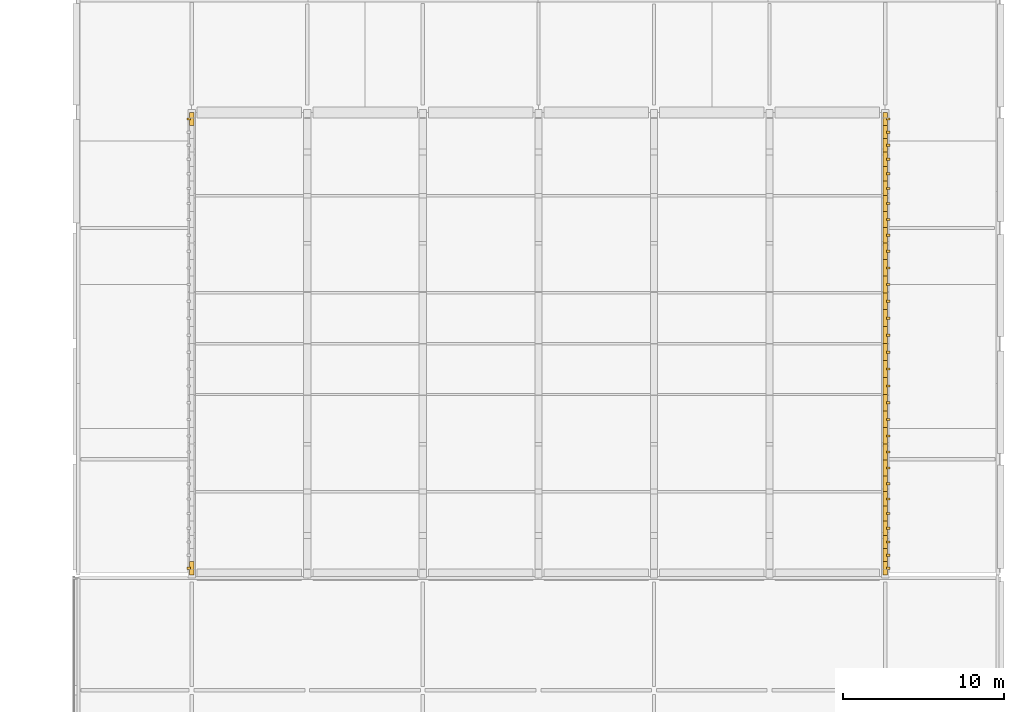
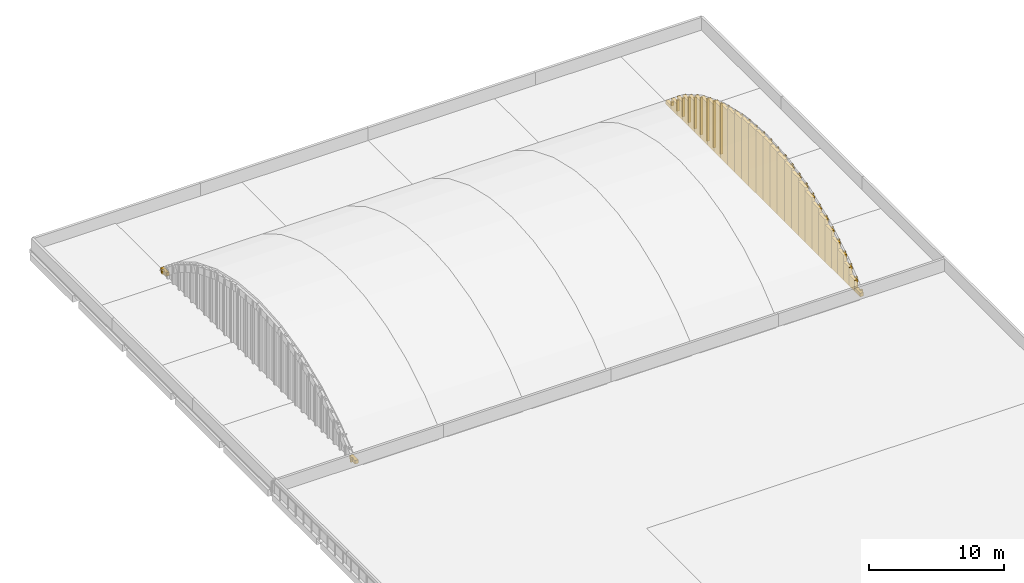
# One storey, part 71 of 71: 64 coverings.
"""IFC4 building model written with IfcOpenShell, lengths in metres."""

from ifc_helpers import new_model, si_unit, direction, frame, frame_2d, origin, origin_2d, place, context, subcontext, project, spatial, rectangle, extrude, material, layer, layer_set, type_object, element, save


model = new_model("IFC4")

# Units and contexts
model_context = context("Model", 3, precision=1e-05, world=origin(), true_north=direction((0.0, 1.0)))
body_context = subcontext(model_context, "Body", "Model", "MODEL_VIEW")
ifc_project = project(units=[si_unit("LENGTHUNIT", "METRE"), si_unit("AREAUNIT", "SQUARE_METRE"), si_unit("VOLUMEUNIT", "CUBIC_METRE"), si_unit("PLANEANGLEUNIT", "RADIAN"), si_unit("MASSUNIT", "GRAM", prefix="KILO")], contexts=[model_context])

# Site, building, storey
site_placement = place(None, origin())
site = spatial("IfcSite", under=ifc_project, at=site_placement, CompositionType="ELEMENT")
building_placement = place(site_placement, origin())
building = spatial("IfcBuilding", under=site, at=building_placement, Name="Sardonyx Promenade Sports Hall", CompositionType="ELEMENT")
storey_placement = place(building_placement, frame((0.0, 0.0, 16.0)))
storey = spatial("IfcBuildingStorey", under=building, at=storey_placement, Name="L03", CompositionType="ELEMENT", Elevation=16.0)

# Coverings
ifc_material_1 = material(Name="Glulam GL28h", Category="wood")
ifc_layer_1 = layer(ifc_material_1, 0.110107421875)
ifc_layer_set_1 = layer_set([ifc_layer_1], Name="Cov_Louvre_GL28h")
covering_type_1 = type_object("IfcCoveringType", Name="Cov_Louvre_GL28h", PredefinedType="MOLDING", material=ifc_layer_set_1)
for number, where, z_axis, x_axis, name in (
    (1, (115.02001953125, 50.808837890625, -0.02001953125), (0.0, 0.0, 1.0), (1.0, 0.0, 0.0), "Tympanum vertical stone mullion V2-W #1"),
    (2, (115.02001953125, 78.791015625, -0.02001953125), (0.0, 0.0, 1.0), (1.0, 0.0, 0.0), "Tympanum vertical stone mullion V2-W #30"),
    (3, (158.580078125, 50.808837890625, -0.02001953125), (0.0, 0.0, 1.0), (1.0, 0.0, 0.0), "Tympanum vertical stone mullion V2-E #1"),
):
    element("IfcCovering", number, at=place(storey_placement, frame(where, z_axis=z_axis, x_axis=x_axis)), inside=storey, type_object=covering_type_1, Name=name, PredefinedType="MOLDING", context=body_context, shape_type="SweptSolid", body=[
        extrude(rectangle(XDim=0.219970703125, YDim=0.139892578125, at=origin_2d()), origin(), (0.0, 0.0, 1.0), 0.31689453125),
    ])
covering_1_placement = place(storey_placement, frame((158.580078125, 51.626708984375, -0.02001953125), z_axis=(0.0, 0.0, 1.0), x_axis=(1.0, 0.0, 0.0)))
element("IfcCovering", 4, at=covering_1_placement, inside=storey, type_object=covering_type_1, Name="Tympanum vertical stone mullion V2-E #2", PredefinedType="MOLDING", context=body_context, shape_type="SweptSolid", body=[
    extrude(rectangle(XDim=0.219970703125, YDim=0.139892578125, at=origin_2d()), origin(), (0.0, 0.0, 1.0), 0.99072265625),
])
covering_2_placement = place(storey_placement, frame((158.580078125, 52.4443359375, -0.02001953125), z_axis=(0.0, 0.0, 1.0), x_axis=(1.0, 0.0, 0.0)))
element("IfcCovering", 5, at=covering_2_placement, inside=storey, type_object=covering_type_1, Name="Tympanum vertical stone mullion V2-E #3", PredefinedType="MOLDING", context=body_context, shape_type="SweptSolid", body=[
    extrude(rectangle(XDim=0.219970703125, YDim=0.139892578125, at=origin_2d()), origin(), (0.0, 0.0, 1.0), 1.66455078125),
])
covering_3_placement = place(storey_placement, frame((158.580078125, 53.308837890625, -0.02001953125), z_axis=(0.0, 0.0, 1.0), x_axis=(1.0, 0.0, 0.0)))
element("IfcCovering", 6, at=covering_3_placement, inside=storey, type_object=covering_type_1, Name="Tympanum vertical stone mullion V2-E #4", PredefinedType="MOLDING", context=body_context, shape_type="SweptSolid", body=[
    extrude(rectangle(XDim=0.219970703125, YDim=0.139892578125, at=origin_2d()), origin(), (0.0, 0.0, 1.0), 2.272216796875),
])
covering_4_placement = place(storey_placement, frame((158.580078125, 54.2197265625, -0.02001953125), z_axis=(0.0, 0.0, 1.0), x_axis=(1.0, 0.0, 0.0)))
element("IfcCovering", 7, at=covering_4_placement, inside=storey, type_object=covering_type_1, Name="Tympanum vertical stone mullion V2-E #5", PredefinedType="MOLDING", context=body_context, shape_type="SweptSolid", body=[
    extrude(rectangle(XDim=0.219970703125, YDim=0.139892578125, at=origin_2d()), origin(), (0.0, 0.0, 1.0), 2.8134765625),
])
covering_5_placement = place(storey_placement, frame((158.580078125, 55.130859375, -0.02001953125), z_axis=(0.0, 0.0, 1.0), x_axis=(1.0, 0.0, 0.0)))
element("IfcCovering", 8, at=covering_5_placement, inside=storey, type_object=covering_type_1, Name="Tympanum vertical stone mullion V2-E #6", PredefinedType="MOLDING", context=body_context, shape_type="SweptSolid", body=[
    extrude(rectangle(XDim=0.219970703125, YDim=0.139892578125, at=origin_2d()), origin(), (0.0, 0.0, 1.0), 3.3544921875),
])
covering_6_placement = place(storey_placement, frame((158.580078125, 56.077880859375, -0.02001953125), z_axis=(0.0, 0.0, 1.0), x_axis=(1.0, 0.0, 0.0)))
element("IfcCovering", 9, at=covering_6_placement, inside=storey, type_object=covering_type_1, Name="Tympanum vertical stone mullion V2-E #7", PredefinedType="MOLDING", context=body_context, shape_type="SweptSolid", body=[
    extrude(rectangle(XDim=0.219970703125, YDim=0.139892578125, at=origin_2d()), origin(), (0.0, 0.0, 1.0), 3.8232421875),
])
covering_7_placement = place(storey_placement, frame((158.580078125, 57.060546875, -0.02001953125), z_axis=(0.0, 0.0, 1.0), x_axis=(1.0, 0.0, 0.0)))
element("IfcCovering", 10, at=covering_7_placement, inside=storey, type_object=covering_type_1, Name="Tympanum vertical stone mullion V2-E #8", PredefinedType="MOLDING", context=body_context, shape_type="SweptSolid", body=[
    extrude(rectangle(XDim=0.219970703125, YDim=0.139892578125, at=origin_2d()), origin(), (0.0, 0.0, 1.0), 4.218994140625),
])
covering_8_placement = place(storey_placement, frame((158.580078125, 58.04345703125, -0.02001953125), z_axis=(0.0, 0.0, 1.0), x_axis=(1.0, 0.0, 0.0)))
element("IfcCovering", 11, at=covering_8_placement, inside=storey, type_object=covering_type_1, Name="Tympanum vertical stone mullion V2-E #9", PredefinedType="MOLDING", context=body_context, shape_type="SweptSolid", body=[
    extrude(rectangle(XDim=0.219970703125, YDim=0.139892578125, at=origin_2d()), origin(), (0.0, 0.0, 1.0), 4.614990234375),
])
covering_9_placement = place(storey_placement, frame((158.580078125, 59.051025390625, -0.02001953125), z_axis=(0.0, 0.0, 1.0), x_axis=(1.0, 0.0, 0.0)))
element("IfcCovering", 12, at=covering_9_placement, inside=storey, type_object=covering_type_1, Name="Tympanum vertical stone mullion V2-E #10", PredefinedType="MOLDING", context=body_context, shape_type="SweptSolid", body=[
    extrude(rectangle(XDim=0.219970703125, YDim=0.139892578125, at=origin_2d()), origin(), (0.0, 0.0, 1.0), 4.93359375),
])
covering_10_placement = place(storey_placement, frame((158.580078125, 60.082763671875, -0.02001953125), z_axis=(0.0, 0.0, 1.0), x_axis=(1.0, 0.0, 0.0)))
element("IfcCovering", 13, at=covering_10_placement, inside=storey, type_object=covering_type_1, Name="Tympanum vertical stone mullion V2-E #11", PredefinedType="MOLDING", context=body_context, shape_type="SweptSolid", body=[
    extrude(rectangle(XDim=0.219970703125, YDim=0.139892578125, at=origin_2d()), origin(), (0.0, 0.0, 1.0), 5.1748046875),
])
covering_11_placement = place(storey_placement, frame((158.580078125, 61.114501953125, -0.02001953125), z_axis=(0.0, 0.0, 1.0), x_axis=(1.0, 0.0, 0.0)))
element("IfcCovering", 14, at=covering_11_placement, inside=storey, type_object=covering_type_1, Name="Tympanum vertical stone mullion V2-E #12", PredefinedType="MOLDING", context=body_context, shape_type="SweptSolid", body=[
    extrude(rectangle(XDim=0.219970703125, YDim=0.139892578125, at=origin_2d()), origin(), (0.0, 0.0, 1.0), 5.416015625),
])
covering_12_placement = place(storey_placement, frame((158.580078125, 62.15869140625, -0.02001953125), z_axis=(0.0, 0.0, 1.0), x_axis=(1.0, 0.0, 0.0)))
element("IfcCovering", 15, at=covering_12_placement, inside=storey, type_object=covering_type_1, Name="Tympanum vertical stone mullion V2-E #13", PredefinedType="MOLDING", context=body_context, shape_type="SweptSolid", body=[
    extrude(rectangle(XDim=0.219970703125, YDim=0.139892578125, at=origin_2d()), origin(), (0.0, 0.0, 1.0), 5.577392578125),
])
covering_13_placement = place(storey_placement, frame((158.580078125, 63.215087890625, -0.02001953125), z_axis=(0.0, 0.0, 1.0), x_axis=(1.0, 0.0, 0.0)))
element("IfcCovering", 16, at=covering_13_placement, inside=storey, type_object=covering_type_1, Name="Tympanum vertical stone mullion V2-E #14", PredefinedType="MOLDING", context=body_context, shape_type="SweptSolid", body=[
    extrude(rectangle(XDim=0.219970703125, YDim=0.139892578125, at=origin_2d()), origin(), (0.0, 0.0, 1.0), 5.658447265625),
])
for number, where, z_axis, x_axis, name in (
    (17, (158.580078125, 64.271728515625, -0.02001953125), (0.0, 0.0, 1.0), (1.0, 0.0, 0.0), "Tympanum vertical stone mullion V2-E #15"),
    (18, (158.580078125, 65.328369140625, -0.02001953125), (0.0, 0.0, 1.0), (1.0, 0.0, 0.0), "Tympanum vertical stone mullion V2-E #16"),
):
    element("IfcCovering", number, at=place(storey_placement, frame(where, z_axis=z_axis, x_axis=x_axis)), inside=storey, type_object=covering_type_1, Name=name, PredefinedType="MOLDING", context=body_context, shape_type="SweptSolid", body=[
        extrude(rectangle(XDim=0.219970703125, YDim=0.139892578125, at=origin_2d()), origin(), (0.0, 0.0, 1.0), 5.739501953125),
    ])
covering_14_placement = place(storey_placement, frame((158.580078125, 66.384765625, -0.02001953125), z_axis=(0.0, 0.0, 1.0), x_axis=(1.0, 0.0, 0.0)))
element("IfcCovering", 19, at=covering_14_placement, inside=storey, type_object=covering_type_1, Name="Tympanum vertical stone mullion V2-E #17", PredefinedType="MOLDING", context=body_context, shape_type="SweptSolid", body=[
    extrude(rectangle(XDim=0.219970703125, YDim=0.139892578125, at=origin_2d()), origin(), (0.0, 0.0, 1.0), 5.658447265625),
])
covering_15_placement = place(storey_placement, frame((158.580078125, 67.44140625, -0.02001953125), z_axis=(0.0, 0.0, 1.0), x_axis=(1.0, 0.0, 0.0)))
element("IfcCovering", 20, at=covering_15_placement, inside=storey, type_object=covering_type_1, Name="Tympanum vertical stone mullion V2-E #18", PredefinedType="MOLDING", context=body_context, shape_type="SweptSolid", body=[
    extrude(rectangle(XDim=0.219970703125, YDim=0.139892578125, at=origin_2d()), origin(), (0.0, 0.0, 1.0), 5.577392578125),
])
covering_16_placement = place(storey_placement, frame((158.580078125, 68.485595703125, -0.02001953125), z_axis=(0.0, 0.0, 1.0), x_axis=(1.0, 0.0, 0.0)))
element("IfcCovering", 21, at=covering_16_placement, inside=storey, type_object=covering_type_1, Name="Tympanum vertical stone mullion V2-E #19", PredefinedType="MOLDING", context=body_context, shape_type="SweptSolid", body=[
    extrude(rectangle(XDim=0.219970703125, YDim=0.139892578125, at=origin_2d()), origin(), (0.0, 0.0, 1.0), 5.416015625),
])
covering_17_placement = place(storey_placement, frame((158.580078125, 69.517333984375, -0.02001953125), z_axis=(0.0, 0.0, 1.0), x_axis=(1.0, 0.0, 0.0)))
element("IfcCovering", 22, at=covering_17_placement, inside=storey, type_object=covering_type_1, Name="Tympanum vertical stone mullion V2-E #20", PredefinedType="MOLDING", context=body_context, shape_type="SweptSolid", body=[
    extrude(rectangle(XDim=0.219970703125, YDim=0.139892578125, at=origin_2d()), origin(), (0.0, 0.0, 1.0), 5.1748046875),
])
covering_18_placement = place(storey_placement, frame((158.580078125, 70.549072265625, -0.02001953125), z_axis=(0.0, 0.0, 1.0), x_axis=(1.0, 0.0, 0.0)))
element("IfcCovering", 23, at=covering_18_placement, inside=storey, type_object=covering_type_1, Name="Tympanum vertical stone mullion V2-E #21", PredefinedType="MOLDING", context=body_context, shape_type="SweptSolid", body=[
    extrude(rectangle(XDim=0.219970703125, YDim=0.139892578125, at=origin_2d()), origin(), (0.0, 0.0, 1.0), 4.93359375),
])
covering_19_placement = place(storey_placement, frame((158.580078125, 71.556396484375, -0.02001953125), z_axis=(0.0, 0.0, 1.0), x_axis=(1.0, 0.0, 0.0)))
element("IfcCovering", 24, at=covering_19_placement, inside=storey, type_object=covering_type_1, Name="Tympanum vertical stone mullion V2-E #22", PredefinedType="MOLDING", context=body_context, shape_type="SweptSolid", body=[
    extrude(rectangle(XDim=0.219970703125, YDim=0.139892578125, at=origin_2d()), origin(), (0.0, 0.0, 1.0), 4.614990234375),
])
covering_20_placement = place(storey_placement, frame((158.580078125, 72.539306640625, -0.02001953125), z_axis=(0.0, 0.0, 1.0), x_axis=(1.0, 0.0, 0.0)))
element("IfcCovering", 25, at=covering_20_placement, inside=storey, type_object=covering_type_1, Name="Tympanum vertical stone mullion V2-E #23", PredefinedType="MOLDING", context=body_context, shape_type="SweptSolid", body=[
    extrude(rectangle(XDim=0.219970703125, YDim=0.139892578125, at=origin_2d()), origin(), (0.0, 0.0, 1.0), 4.218994140625),
])
covering_21_placement = place(storey_placement, frame((158.580078125, 73.522216796875, -0.02001953125), z_axis=(0.0, 0.0, 1.0), x_axis=(1.0, 0.0, 0.0)))
element("IfcCovering", 26, at=covering_21_placement, inside=storey, type_object=covering_type_1, Name="Tympanum vertical stone mullion V2-E #24", PredefinedType="MOLDING", context=body_context, shape_type="SweptSolid", body=[
    extrude(rectangle(XDim=0.219970703125, YDim=0.139892578125, at=origin_2d()), origin(), (0.0, 0.0, 1.0), 3.8232421875),
])
covering_22_placement = place(storey_placement, frame((158.580078125, 74.46923828125, -0.02001953125), z_axis=(0.0, 0.0, 1.0), x_axis=(1.0, 0.0, 0.0)))
element("IfcCovering", 27, at=covering_22_placement, inside=storey, type_object=covering_type_1, Name="Tympanum vertical stone mullion V2-E #25", PredefinedType="MOLDING", context=body_context, shape_type="SweptSolid", body=[
    extrude(rectangle(XDim=0.219970703125, YDim=0.139892578125, at=origin_2d()), origin(), (0.0, 0.0, 1.0), 3.3544921875),
])
covering_23_placement = place(storey_placement, frame((158.580078125, 75.380126953125, -0.02001953125), z_axis=(0.0, 0.0, 1.0), x_axis=(1.0, 0.0, 0.0)))
element("IfcCovering", 28, at=covering_23_placement, inside=storey, type_object=covering_type_1, Name="Tympanum vertical stone mullion V2-E #26", PredefinedType="MOLDING", context=body_context, shape_type="SweptSolid", body=[
    extrude(rectangle(XDim=0.219970703125, YDim=0.139892578125, at=origin_2d()), origin(), (0.0, 0.0, 1.0), 2.8134765625),
])
covering_24_placement = place(storey_placement, frame((158.580078125, 76.291259765625, -0.02001953125), z_axis=(0.0, 0.0, 1.0), x_axis=(1.0, 0.0, 0.0)))
element("IfcCovering", 29, at=covering_24_placement, inside=storey, type_object=covering_type_1, Name="Tympanum vertical stone mullion V2-E #27", PredefinedType="MOLDING", context=body_context, shape_type="SweptSolid", body=[
    extrude(rectangle(XDim=0.219970703125, YDim=0.139892578125, at=origin_2d()), origin(), (0.0, 0.0, 1.0), 2.272216796875),
])
covering_25_placement = place(storey_placement, frame((158.580078125, 77.155517578125, -0.02001953125), z_axis=(0.0, 0.0, 1.0), x_axis=(1.0, 0.0, 0.0)))
element("IfcCovering", 30, at=covering_25_placement, inside=storey, type_object=covering_type_1, Name="Tympanum vertical stone mullion V2-E #28", PredefinedType="MOLDING", context=body_context, shape_type="SweptSolid", body=[
    extrude(rectangle(XDim=0.219970703125, YDim=0.139892578125, at=origin_2d()), origin(), (0.0, 0.0, 1.0), 1.66455078125),
])
covering_26_placement = place(storey_placement, frame((158.580078125, 77.973388671875, -0.02001953125), z_axis=(0.0, 0.0, 1.0), x_axis=(1.0, 0.0, 0.0)))
element("IfcCovering", 31, at=covering_26_placement, inside=storey, type_object=covering_type_1, Name="Tympanum vertical stone mullion V2-E #29", PredefinedType="MOLDING", context=body_context, shape_type="SweptSolid", body=[
    extrude(rectangle(XDim=0.219970703125, YDim=0.139892578125, at=origin_2d()), origin(), (0.0, 0.0, 1.0), 0.99072265625),
])
covering_27_placement = place(storey_placement, frame((158.580078125, 78.791015625, -0.02001953125), z_axis=(0.0, 0.0, 1.0), x_axis=(1.0, 0.0, 0.0)))
element("IfcCovering", 32, at=covering_27_placement, inside=storey, type_object=covering_type_1, Name="Tympanum vertical stone mullion V2-E #30", PredefinedType="MOLDING", context=body_context, shape_type="SweptSolid", body=[
    extrude(rectangle(XDim=0.219970703125, YDim=0.139892578125, at=origin_2d()), origin(), (0.0, 0.0, 1.0), 0.31689453125),
])
ifc_material_2 = material(Name="Carved Cape red sandstone ashlar", Category="masonry")
ifc_layer_2 = layer(ifc_material_2, 0.239990234375)
ifc_layer_set_2 = layer_set([ifc_layer_2], Name="Cov_Mughal_Arch")
covering_type_2 = type_object("IfcCoveringType", Name="Cov_Mughal_Arch", PredefinedType="CLADDING", material=ifc_layer_set_2)
covering_28_placement = place(storey_placement, frame((115.199951171875, 50.39990234375, -0.02001953125), z_axis=(0.0, 0.0, 1.0), x_axis=(0.0, 1.0, 0.0)))
element("IfcCovering", 33, at=covering_28_placement, inside=storey, type_object=covering_type_2, Name="Barrel-vault arched tympanum V2-W #1", PredefinedType="CLADDING", context=body_context, shape_type="SweptSolid", body=[
    extrude(rectangle(XDim=0.81787109375, YDim=0.280029296875, at=frame_2d((0.408935546875, 0.0))), origin(), (0.0, 0.0, 1.0), 0.31689453125),
])
covering_29_placement = place(storey_placement, frame((115.199951171875, 78.38232421875, -0.02001953125), z_axis=(0.0, 0.0, 1.0), x_axis=(0.0, 1.0, 0.0)))
element("IfcCovering", 34, at=covering_29_placement, inside=storey, type_object=covering_type_2, Name="Barrel-vault arched tympanum V2-W #30", PredefinedType="CLADDING", context=body_context, shape_type="SweptSolid", body=[
    extrude(rectangle(XDim=0.817626953125, YDim=0.280029296875, at=frame_2d((0.40869140625, 0.0))), origin(), (0.0, 0.0, 1.0), 0.31689453125),
])
covering_30_placement = place(storey_placement, frame((158.39990234375, 50.39990234375, -0.02001953125), z_axis=(0.0, 0.0, 1.0), x_axis=(0.0, 1.0, 0.0)))
element("IfcCovering", 35, at=covering_30_placement, inside=storey, type_object=covering_type_2, Name="Barrel-vault arched tympanum V2-E #1", PredefinedType="CLADDING", context=body_context, shape_type="SweptSolid", body=[
    extrude(rectangle(XDim=0.81787109375, YDim=0.280029296875, at=frame_2d((0.408935546875, 0.0))), origin(), (0.0, 0.0, 1.0), 0.31689453125),
])
covering_31_placement = place(storey_placement, frame((158.39990234375, 51.2177734375, -0.02001953125), z_axis=(0.0, 0.0, 1.0), x_axis=(0.0, 1.0, 0.0)))
element("IfcCovering", 36, at=covering_31_placement, inside=storey, type_object=covering_type_2, Name="Barrel-vault arched tympanum V2-E #2", PredefinedType="CLADDING", context=body_context, shape_type="SweptSolid", body=[
    extrude(rectangle(XDim=0.81787109375, YDim=0.280029296875, at=frame_2d((0.408935546875, 0.0))), origin(), (0.0, 0.0, 1.0), 0.99072265625),
])
covering_32_placement = place(storey_placement, frame((158.39990234375, 52.03564453125, -0.02001953125), z_axis=(0.0, 0.0, 1.0), x_axis=(0.0, 1.0, 0.0)))
element("IfcCovering", 37, at=covering_32_placement, inside=storey, type_object=covering_type_2, Name="Barrel-vault arched tympanum V2-E #3", PredefinedType="CLADDING", context=body_context, shape_type="SweptSolid", body=[
    extrude(rectangle(XDim=0.817626953125, YDim=0.280029296875, at=frame_2d((0.40869140625, 0.0))), origin(), (0.0, 0.0, 1.0), 1.66455078125),
])
covering_33_placement = place(storey_placement, frame((158.39990234375, 52.853271484375, -0.02001953125), z_axis=(0.0, 0.0, 1.0), x_axis=(0.0, 1.0, 0.0)))
element("IfcCovering", 38, at=covering_33_placement, inside=storey, type_object=covering_type_2, Name="Barrel-vault arched tympanum V2-E #4", PredefinedType="CLADDING", context=body_context, shape_type="SweptSolid", body=[
    extrude(rectangle(XDim=0.9111328125, YDim=0.280029296875, at=frame_2d((0.45556640625, 0.0))), origin(), (0.0, 0.0, 1.0), 2.272216796875),
])
covering_34_placement = place(storey_placement, frame((158.39990234375, 53.764404296875, -0.02001953125), z_axis=(0.0, 0.0, 1.0), x_axis=(0.0, 1.0, 0.0)))
element("IfcCovering", 39, at=covering_34_placement, inside=storey, type_object=covering_type_2, Name="Barrel-vault arched tympanum V2-E #5", PredefinedType="CLADDING", context=body_context, shape_type="SweptSolid", body=[
    extrude(rectangle(XDim=0.910888671875, YDim=0.280029296875, at=frame_2d((0.45556640625, 0.0))), origin(), (0.0, 0.0, 1.0), 2.8134765625),
])
covering_35_placement = place(storey_placement, frame((158.39990234375, 54.67529296875, -0.02001953125), z_axis=(0.0, 0.0, 1.0), x_axis=(0.0, 1.0, 0.0)))
element("IfcCovering", 40, at=covering_35_placement, inside=storey, type_object=covering_type_2, Name="Barrel-vault arched tympanum V2-E #6", PredefinedType="CLADDING", context=body_context, shape_type="SweptSolid", body=[
    extrude(rectangle(XDim=0.9111328125, YDim=0.280029296875, at=frame_2d((0.45556640625, 0.0))), origin(), (0.0, 0.0, 1.0), 3.354736328125),
])
covering_36_placement = place(storey_placement, frame((158.39990234375, 55.58642578125, -0.02001953125), z_axis=(0.0, 0.0, 1.0), x_axis=(0.0, 1.0, 0.0)))
element("IfcCovering", 41, at=covering_36_placement, inside=storey, type_object=covering_type_2, Name="Barrel-vault arched tympanum V2-E #7", PredefinedType="CLADDING", context=body_context, shape_type="SweptSolid", body=[
    extrude(rectangle(XDim=0.982666015625, YDim=0.280029296875, at=frame_2d((0.4912109375, 0.0))), origin(), (0.0, 0.0, 1.0), 3.8232421875),
])
covering_37_placement = place(storey_placement, frame((158.39990234375, 56.569091796875, -0.02001953125), z_axis=(0.0, 0.0, 1.0), x_axis=(0.0, 1.0, 0.0)))
element("IfcCovering", 42, at=covering_37_placement, inside=storey, type_object=covering_type_2, Name="Barrel-vault arched tympanum V2-E #8", PredefinedType="CLADDING", context=body_context, shape_type="SweptSolid", body=[
    extrude(rectangle(XDim=0.98291015625, YDim=0.280029296875, at=frame_2d((0.491455078125, 0.0))), origin(), (0.0, 0.0, 1.0), 4.218994140625),
])
covering_38_placement = place(storey_placement, frame((158.39990234375, 57.552001953125, -0.02001953125), z_axis=(0.0, 0.0, 1.0), x_axis=(0.0, 1.0, 0.0)))
element("IfcCovering", 43, at=covering_38_placement, inside=storey, type_object=covering_type_2, Name="Barrel-vault arched tympanum V2-E #9", PredefinedType="CLADDING", context=body_context, shape_type="SweptSolid", body=[
    extrude(rectangle(XDim=0.98291015625, YDim=0.280029296875, at=frame_2d((0.491455078125, 0.0))), origin(), (0.0, 0.0, 1.0), 4.614990234375),
])
covering_39_placement = place(storey_placement, frame((158.39990234375, 58.534912109375, -0.02001953125), z_axis=(0.0, 0.0, 1.0), x_axis=(0.0, 1.0, 0.0)))
element("IfcCovering", 44, at=covering_39_placement, inside=storey, type_object=covering_type_2, Name="Barrel-vault arched tympanum V2-E #10", PredefinedType="CLADDING", context=body_context, shape_type="SweptSolid", body=[
    extrude(rectangle(XDim=1.031982421875, YDim=0.280029296875, at=frame_2d((0.51611328125, 0.0))), origin(), (0.0, 0.0, 1.0), 4.93359375),
])
covering_40_placement = place(storey_placement, frame((158.39990234375, 59.56689453125, -0.02001953125), z_axis=(0.0, 0.0, 1.0), x_axis=(0.0, 1.0, 0.0)))
element("IfcCovering", 45, at=covering_40_placement, inside=storey, type_object=covering_type_2, Name="Barrel-vault arched tympanum V2-E #11", PredefinedType="CLADDING", context=body_context, shape_type="SweptSolid", body=[
    extrude(rectangle(XDim=1.03173828125, YDim=0.280029296875, at=frame_2d((0.515869140625, 0.0))), origin(), (0.0, 0.0, 1.0), 5.1748046875),
])
covering_41_placement = place(storey_placement, frame((158.39990234375, 60.5986328125, -0.02001953125), z_axis=(0.0, 0.0, 1.0), x_axis=(0.0, 1.0, 0.0)))
element("IfcCovering", 46, at=covering_41_placement, inside=storey, type_object=covering_type_2, Name="Barrel-vault arched tympanum V2-E #12", PredefinedType="CLADDING", context=body_context, shape_type="SweptSolid", body=[
    extrude(rectangle(XDim=1.03173828125, YDim=0.280029296875, at=frame_2d((0.515869140625, 0.0))), origin(), (0.0, 0.0, 1.0), 5.416015625),
])
covering_42_placement = place(storey_placement, frame((158.39990234375, 61.63037109375, -0.02001953125), z_axis=(0.0, 0.0, 1.0), x_axis=(0.0, 1.0, 0.0)))
element("IfcCovering", 47, at=covering_42_placement, inside=storey, type_object=covering_type_2, Name="Barrel-vault arched tympanum V2-E #13", PredefinedType="CLADDING", context=body_context, shape_type="SweptSolid", body=[
    extrude(rectangle(XDim=1.056640625, YDim=0.280029296875, at=frame_2d((0.5283203125, 0.0))), origin(), (0.0, 0.0, 1.0), 5.577392578125),
])
covering_43_placement = place(storey_placement, frame((158.39990234375, 62.68701171875, -0.02001953125), z_axis=(0.0, 0.0, 1.0), x_axis=(0.0, 1.0, 0.0)))
element("IfcCovering", 48, at=covering_43_placement, inside=storey, type_object=covering_type_2, Name="Barrel-vault arched tympanum V2-E #14", PredefinedType="CLADDING", context=body_context, shape_type="SweptSolid", body=[
    extrude(rectangle(XDim=1.056396484375, YDim=0.280029296875, at=frame_2d((0.5283203125, 0.0))), origin(), (0.0, 0.0, 1.0), 5.658447265625),
])
covering_44_placement = place(storey_placement, frame((158.39990234375, 63.743408203125, -0.02001953125), z_axis=(0.0, 0.0, 1.0), x_axis=(0.0, 1.0, 0.0)))
element("IfcCovering", 49, at=covering_44_placement, inside=storey, type_object=covering_type_2, Name="Barrel-vault arched tympanum V2-E #15", PredefinedType="CLADDING", context=body_context, shape_type="SweptSolid", body=[
    extrude(rectangle(XDim=1.056640625, YDim=0.280029296875, at=frame_2d((0.5283203125, 0.0))), origin(), (0.0, 0.0, 1.0), 5.739501953125),
])
covering_45_placement = place(storey_placement, frame((158.39990234375, 64.800048828125, -0.02001953125), z_axis=(0.0, 0.0, 1.0), x_axis=(0.0, 1.0, 0.0)))
element("IfcCovering", 50, at=covering_45_placement, inside=storey, type_object=covering_type_2, Name="Barrel-vault arched tympanum V2-E #16", PredefinedType="CLADDING", context=body_context, shape_type="SweptSolid", body=[
    extrude(rectangle(XDim=1.056396484375, YDim=0.280029296875, at=frame_2d((0.5283203125, 0.0))), origin(), (0.0, 0.0, 1.0), 5.739501953125),
])
covering_46_placement = place(storey_placement, frame((158.39990234375, 65.8564453125, -0.02001953125), z_axis=(0.0, 0.0, 1.0), x_axis=(0.0, 1.0, 0.0)))
element("IfcCovering", 51, at=covering_46_placement, inside=storey, type_object=covering_type_2, Name="Barrel-vault arched tympanum V2-E #17", PredefinedType="CLADDING", context=body_context, shape_type="SweptSolid", body=[
    extrude(rectangle(XDim=1.056640625, YDim=0.280029296875, at=frame_2d((0.5283203125, 0.0))), origin(), (0.0, 0.0, 1.0), 5.658447265625),
])
covering_47_placement = place(storey_placement, frame((158.39990234375, 66.9130859375, -0.02001953125), z_axis=(0.0, 0.0, 1.0), x_axis=(0.0, 1.0, 0.0)))
element("IfcCovering", 52, at=covering_47_placement, inside=storey, type_object=covering_type_2, Name="Barrel-vault arched tympanum V2-E #18", PredefinedType="CLADDING", context=body_context, shape_type="SweptSolid", body=[
    extrude(rectangle(XDim=1.056396484375, YDim=0.280029296875, at=frame_2d((0.5283203125, 0.0))), origin(), (0.0, 0.0, 1.0), 5.577392578125),
])
covering_48_placement = place(storey_placement, frame((158.39990234375, 67.969482421875, -0.02001953125), z_axis=(0.0, 0.0, 1.0), x_axis=(0.0, 1.0, 0.0)))
element("IfcCovering", 53, at=covering_48_placement, inside=storey, type_object=covering_type_2, Name="Barrel-vault arched tympanum V2-E #19", PredefinedType="CLADDING", context=body_context, shape_type="SweptSolid", body=[
    extrude(rectangle(XDim=1.031982421875, YDim=0.280029296875, at=frame_2d((0.51611328125, 0.0))), origin(), (0.0, 0.0, 1.0), 5.416015625),
])
covering_49_placement = place(storey_placement, frame((158.39990234375, 69.00146484375, -0.02001953125), z_axis=(0.0, 0.0, 1.0), x_axis=(0.0, 1.0, 0.0)))
element("IfcCovering", 54, at=covering_49_placement, inside=storey, type_object=covering_type_2, Name="Barrel-vault arched tympanum V2-E #20", PredefinedType="CLADDING", context=body_context, shape_type="SweptSolid", body=[
    extrude(rectangle(XDim=1.03173828125, YDim=0.280029296875, at=frame_2d((0.515869140625, 0.0))), origin(), (0.0, 0.0, 1.0), 5.1748046875),
])
covering_50_placement = place(storey_placement, frame((158.39990234375, 70.033203125, -0.02001953125), z_axis=(0.0, 0.0, 1.0), x_axis=(0.0, 1.0, 0.0)))
element("IfcCovering", 55, at=covering_50_placement, inside=storey, type_object=covering_type_2, Name="Barrel-vault arched tympanum V2-E #21", PredefinedType="CLADDING", context=body_context, shape_type="SweptSolid", body=[
    extrude(rectangle(XDim=1.03173828125, YDim=0.280029296875, at=frame_2d((0.515869140625, 0.0))), origin(), (0.0, 0.0, 1.0), 4.93359375),
])
covering_51_placement = place(storey_placement, frame((158.39990234375, 71.06494140625, -0.02001953125), z_axis=(0.0, 0.0, 1.0), x_axis=(0.0, 1.0, 0.0)))
element("IfcCovering", 56, at=covering_51_placement, inside=storey, type_object=covering_type_2, Name="Barrel-vault arched tympanum V2-E #22", PredefinedType="CLADDING", context=body_context, shape_type="SweptSolid", body=[
    extrude(rectangle(XDim=0.98291015625, YDim=0.280029296875, at=frame_2d((0.491455078125, 0.0))), origin(), (0.0, 0.0, 1.0), 4.614990234375),
])
covering_52_placement = place(storey_placement, frame((158.39990234375, 72.0478515625, -0.02001953125), z_axis=(0.0, 0.0, 1.0), x_axis=(0.0, 1.0, 0.0)))
element("IfcCovering", 57, at=covering_52_placement, inside=storey, type_object=covering_type_2, Name="Barrel-vault arched tympanum V2-E #23", PredefinedType="CLADDING", context=body_context, shape_type="SweptSolid", body=[
    extrude(rectangle(XDim=0.98291015625, YDim=0.280029296875, at=frame_2d((0.491455078125, 0.0))), origin(), (0.0, 0.0, 1.0), 4.218994140625),
])
covering_53_placement = place(storey_placement, frame((158.39990234375, 73.03076171875, -0.02001953125), z_axis=(0.0, 0.0, 1.0), x_axis=(0.0, 1.0, 0.0)))
element("IfcCovering", 58, at=covering_53_placement, inside=storey, type_object=covering_type_2, Name="Barrel-vault arched tympanum V2-E #24", PredefinedType="CLADDING", context=body_context, shape_type="SweptSolid", body=[
    extrude(rectangle(XDim=0.98291015625, YDim=0.280029296875, at=frame_2d((0.491455078125, 0.0))), origin(), (0.0, 0.0, 1.0), 3.8232421875),
])
covering_54_placement = place(storey_placement, frame((158.39990234375, 74.013671875, -0.02001953125), z_axis=(0.0, 0.0, 1.0), x_axis=(0.0, 1.0, 0.0)))
element("IfcCovering", 59, at=covering_54_placement, inside=storey, type_object=covering_type_2, Name="Barrel-vault arched tympanum V2-E #25", PredefinedType="CLADDING", context=body_context, shape_type="SweptSolid", body=[
    extrude(rectangle(XDim=0.9111328125, YDim=0.280029296875, at=frame_2d((0.45556640625, 0.0))), origin(), (0.0, 0.0, 1.0), 3.354736328125),
])
covering_55_placement = place(storey_placement, frame((158.39990234375, 74.9248046875, -0.02001953125), z_axis=(0.0, 0.0, 1.0), x_axis=(0.0, 1.0, 0.0)))
element("IfcCovering", 60, at=covering_55_placement, inside=storey, type_object=covering_type_2, Name="Barrel-vault arched tympanum V2-E #26", PredefinedType="CLADDING", context=body_context, shape_type="SweptSolid", body=[
    extrude(rectangle(XDim=0.910888671875, YDim=0.280029296875, at=frame_2d((0.45556640625, 0.0))), origin(), (0.0, 0.0, 1.0), 2.8134765625),
])
covering_56_placement = place(storey_placement, frame((158.39990234375, 75.835693359375, -0.02001953125), z_axis=(0.0, 0.0, 1.0), x_axis=(0.0, 1.0, 0.0)))
element("IfcCovering", 61, at=covering_56_placement, inside=storey, type_object=covering_type_2, Name="Barrel-vault arched tympanum V2-E #27", PredefinedType="CLADDING", context=body_context, shape_type="SweptSolid", body=[
    extrude(rectangle(XDim=0.910888671875, YDim=0.280029296875, at=frame_2d((0.45556640625, 0.0))), origin(), (0.0, 0.0, 1.0), 2.272216796875),
])
covering_57_placement = place(storey_placement, frame((158.39990234375, 76.74658203125, -0.02001953125), z_axis=(0.0, 0.0, 1.0), x_axis=(0.0, 1.0, 0.0)))
element("IfcCovering", 62, at=covering_57_placement, inside=storey, type_object=covering_type_2, Name="Barrel-vault arched tympanum V2-E #28", PredefinedType="CLADDING", context=body_context, shape_type="SweptSolid", body=[
    extrude(rectangle(XDim=0.81787109375, YDim=0.280029296875, at=frame_2d((0.408935546875, 0.0))), origin(), (0.0, 0.0, 1.0), 1.66455078125),
])
covering_58_placement = place(storey_placement, frame((158.39990234375, 77.564453125, -0.02001953125), z_axis=(0.0, 0.0, 1.0), x_axis=(0.0, 1.0, 0.0)))
element("IfcCovering", 63, at=covering_58_placement, inside=storey, type_object=covering_type_2, Name="Barrel-vault arched tympanum V2-E #29", PredefinedType="CLADDING", context=body_context, shape_type="SweptSolid", body=[
    extrude(rectangle(XDim=0.81787109375, YDim=0.280029296875, at=frame_2d((0.408935546875, 0.0))), origin(), (0.0, 0.0, 1.0), 0.99072265625),
])
covering_59_placement = place(storey_placement, frame((158.39990234375, 78.38232421875, -0.02001953125), z_axis=(0.0, 0.0, 1.0), x_axis=(0.0, 1.0, 0.0)))
element("IfcCovering", 64, at=covering_59_placement, inside=storey, type_object=covering_type_2, Name="Barrel-vault arched tympanum V2-E #30", PredefinedType="CLADDING", context=body_context, shape_type="SweptSolid", body=[
    extrude(rectangle(XDim=0.817626953125, YDim=0.280029296875, at=frame_2d((0.40869140625, 0.0))), origin(), (0.0, 0.0, 1.0), 0.31689453125),
])

save(model, "model.ifc")
